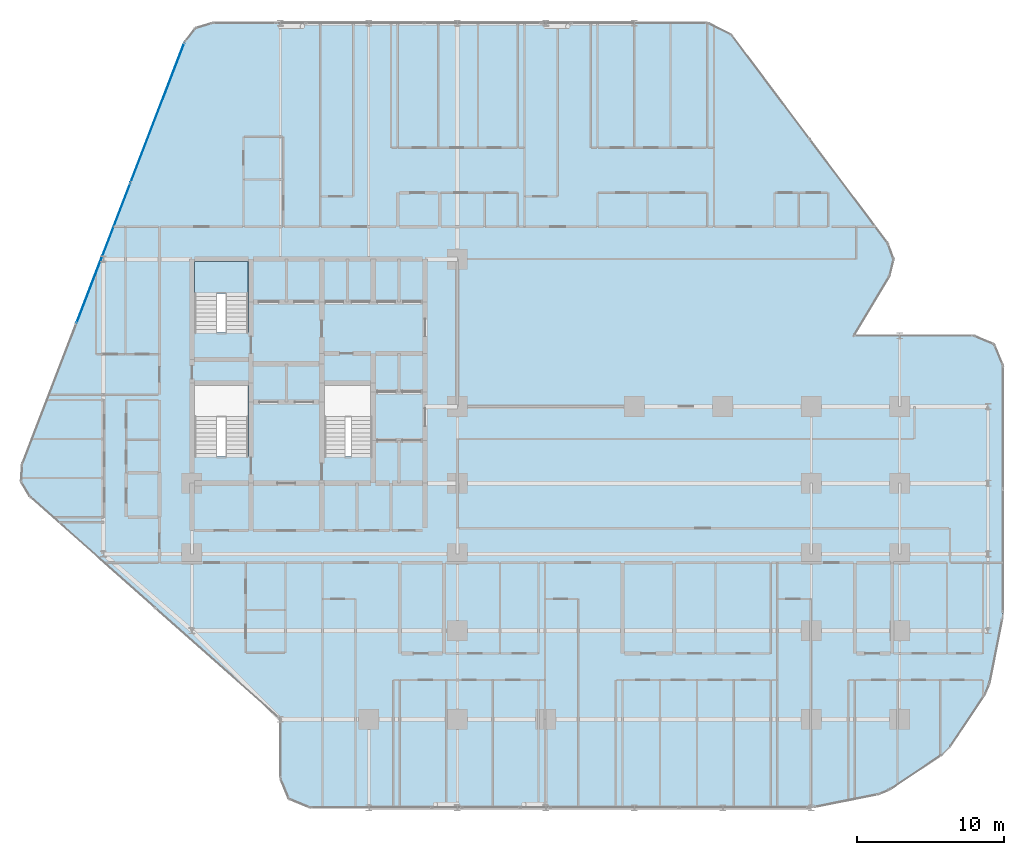
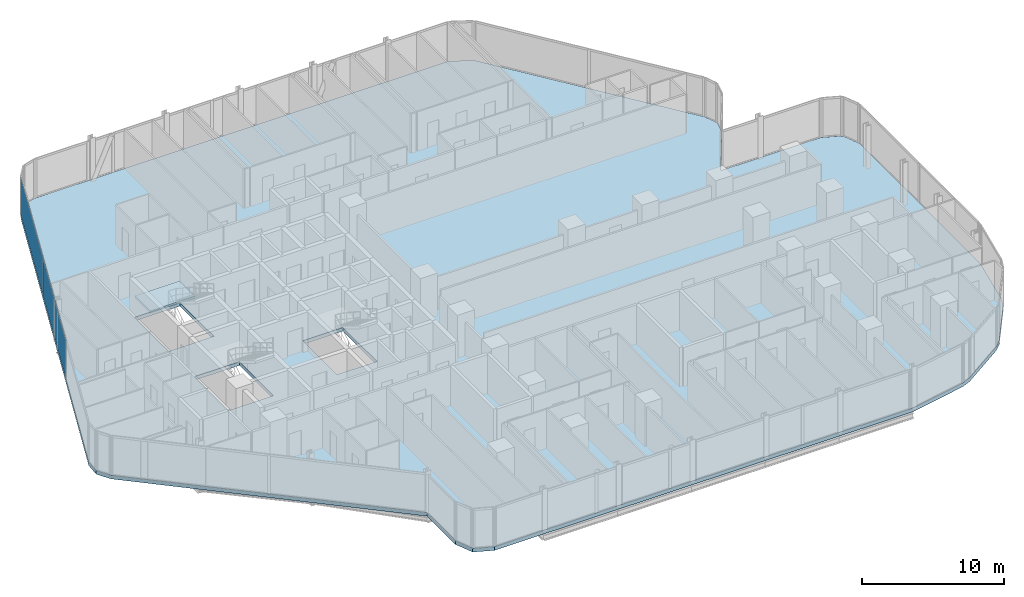
# One storey, part 23 of 33: 2 plates, 2 slabs, 2 elements without a shape of their own.
"""IFC4 building model written with IfcOpenShell, lengths in metres."""

from ifc_helpers import new_model, si_unit, direction, frame, origin, origin_2d, place, context, subcontext, project, spatial, polyline, rectangle, outline, extrude, material, layer, layer_set, type_object, element, aggregate, save


model = new_model("IFC4")

# Units and contexts
model_context = context("Model", 3, precision=1e-05, world=origin(), true_north=direction((0.0, 1.0)))
body_context = subcontext(model_context, "Body", "Model", "MODEL_VIEW")
ifc_project = project(units=[si_unit("LENGTHUNIT", "METRE"), si_unit("AREAUNIT", "SQUARE_METRE"), si_unit("VOLUMEUNIT", "CUBIC_METRE"), si_unit("PLANEANGLEUNIT", "RADIAN"), si_unit("MASSUNIT", "GRAM", prefix="KILO")], contexts=[model_context])

# Site, building, storey
site_placement = place(None, origin())
site = spatial("IfcSite", under=ifc_project, at=site_placement, CompositionType="ELEMENT")
building_placement = place(site_placement, origin())
building = spatial("IfcBuilding", under=site, at=building_placement, Name="Keshet Zoharim Tower", CompositionType="ELEMENT")
storey_placement = place(building_placement, frame((0.0, 0.0, 27.699951171875)))
storey = spatial("IfcBuildingStorey", under=building, at=storey_placement, Name="L05", CompositionType="ELEMENT", Elevation=27.699951171875)

# Curtain wall, plates
ifc_material_1 = material(Name="Aluminium 6063-T6", Category="aluminium")
ifc_layer_1 = layer(ifc_material_1, 0.179931640625)
ifc_layer_set_1 = layer_set([ifc_layer_1], Name="Aluminium 6063-T6")
curtain_wall_type = type_object("IfcCurtainWallType", Name="CW-SYS-01", PredefinedType="NOTDEFINED", material=ifc_layer_set_1)
curtain_wall_placement = place(storey_placement, origin())
curtain_wall = element("IfcCurtainWall", 1, at=curtain_wall_placement, inside=storey, type_object=curtain_wall_type, Name="L05 Unitised Curtain Wall 04", PredefinedType="NOTDEFINED")
ifc_material_2 = material(Name="Insulated Low-E Clear Glass", Category="glass")
ifc_layer_2 = layer(ifc_material_2, 0.035888671875)
ifc_layer_set_2 = layer_set([ifc_layer_2], Name="Insulated Low-E Clear Glass")
plate_type = type_object("IfcPlateType", Name="CWP-01", PredefinedType="CURTAIN_PANEL", material=ifc_layer_set_2)
plate_1_placement = place(storey_placement, frame((9.001953125, 38.305419921875, 0.070068359375), z_axis=(0.0, 0.0, 1.0), x_axis=(0.358990003907, 0.933341404361, 0.0)))
plate_1 = element("IfcPlate", 2, at=plate_1_placement, type_object=plate_type, Name="CW-01 panel 2.1", PredefinedType="CURTAIN_PANEL", context=body_context, shape_type="SweptSolid", body=[
    extrude(rectangle(XDim=10.153076171875, YDim=0.035888671875, at=origin_2d()), origin(), (0.0, 0.0, 1.0), 3.2451171875),
])
plate_2_placement = place(storey_placement, frame((12.665771484375, 47.830810546875, 0.070068359375), z_axis=(0.0, 0.0, 1.0), x_axis=(0.358990003907, 0.933341404361, 0.0)))
plate_2 = element("IfcPlate", 3, at=plate_2_placement, type_object=plate_type, Name="CW-01 panel 3.1", PredefinedType="CURTAIN_PANEL", context=body_context, shape_type="SweptSolid", body=[
    extrude(rectangle(XDim=10.1181640625, YDim=0.035888671875, at=origin_2d()), origin(), (0.0, 0.0, 1.0), 3.2451171875),
])
aggregate(curtain_wall, [plate_1, plate_2])

# Stair, slab
ifc_material_3 = material(Name="Concrete C50/60", Category="concrete")
stair_type = type_object("IfcStairType", Name="STR-EXIT-135", PredefinedType="HALF_TURN_STAIR", material=ifc_material_3)
stair_placement = place(storey_placement, origin())
stair = element("IfcStair", 4, at=stair_placement, inside=storey, type_object=stair_type, Name="L05 Enclosed Exit Stair ST-02", PredefinedType="HALF_TURN_STAIR")
ifc_layer_3 = layer(ifc_material_3, 0.199951171875)
ifc_layer_set_3 = layer_set([ifc_layer_3], Name="Concrete C50/60")
slab_type_1 = type_object("IfcSlabType", Name="SLB-LND-200", PredefinedType="LANDING", material=ifc_layer_set_3)
slab_1_placement = place(storey_placement, frame((0.0, 0.0, 1.650146484375)))
slab_1 = element("IfcSlab", 5, at=slab_1_placement, type_object=slab_type_1, Name="ST-02 landing 1", PredefinedType="LANDING", context=body_context, shape_type="SweptSolid", body=[
    extrude(outline(polyline([(15.179931640625, 35.56005859375), (18.820068359375, 35.56005859375), (18.820068359375, 37.719970703125), (15.179931640625, 37.719970703125), (15.179931640625, 35.56005859375)])), origin(), (0.0, 0.0, 1.0), 0.199951171875),
])
aggregate(stair, [slab_1])

# Slab
ifc_layer_4 = layer(ifc_material_3, 0.31494140625)
ifc_layer_set_4 = layer_set([ifc_layer_4], Name="Concrete C50/60")
slab_type_2 = type_object("IfcSlabType", Name="SLB-LOW-260", PredefinedType="FLOOR", material=ifc_layer_set_4)
slab_2_placement = place(storey_placement, frame((0.0, 0.0, -0.31494140625)))
element("IfcSlab", 6, at=slab_2_placement, inside=storey, type_object=slab_type_2, Name="L05 Structural Floor Slab 1", PredefinedType="FLOOR", context=body_context, shape_type="SweptSolid", body=[
    extrude(outline(polyline([(21.0, 6.699951171875), (4.034912109375, 21.780029296875), (3.419921875, 22.802001953125), (3.4970703125, 23.992919921875), (14.507080078125, 52.617919921875), (15.240966796875, 53.549072265625), (16.3740234375, 53.89990234375), (50.0, 53.89990234375), (51.60009765625, 53.10009765625), (62.193115234375, 38.97607421875), (62.590087890625, 37.87890625), (62.30810546875, 36.7470703125), (59.8798828125, 32.699951171875), (68.0, 32.699951171875), (69.4140625, 32.114013671875), (70.0, 30.699951171875), (70.0, 13.89697265625), (69.9619140625, 13.507080078125), (69.087890625, 9.114990234375), (68.7890625, 8.39404296875), (66.4130859375, 4.837890625), (65.862060546875, 4.287109375), (62.305908203125, 1.910888671875), (61.5849609375, 1.612060546875), (57.193115234375, 0.738037109375), (56.802978515625, 0.699951171875), (23.0, 0.699951171875), (21.5859375, 1.285888671875), (21.0, 2.699951171875), (21.0, 6.699951171875)]), holes=[polyline([(15.179931640625, 24.52001953125), (18.820068359375, 24.52001953125), (18.820068359375, 29.320068359375), (15.179931640625, 29.320068359375), (15.179931640625, 24.52001953125)]), polyline([(15.179931640625, 32.919921875), (18.820068359375, 32.919921875), (18.820068359375, 37.719970703125), (15.179931640625, 37.719970703125), (15.179931640625, 32.919921875)]), polyline([(23.97998046875, 24.52001953125), (27.219970703125, 24.52001953125), (27.219970703125, 29.320068359375), (23.97998046875, 29.320068359375), (23.97998046875, 24.52001953125)])]), origin(), (0.0, 0.0, 1.0), 0.31494140625),
])

save(model, "model.ifc")
